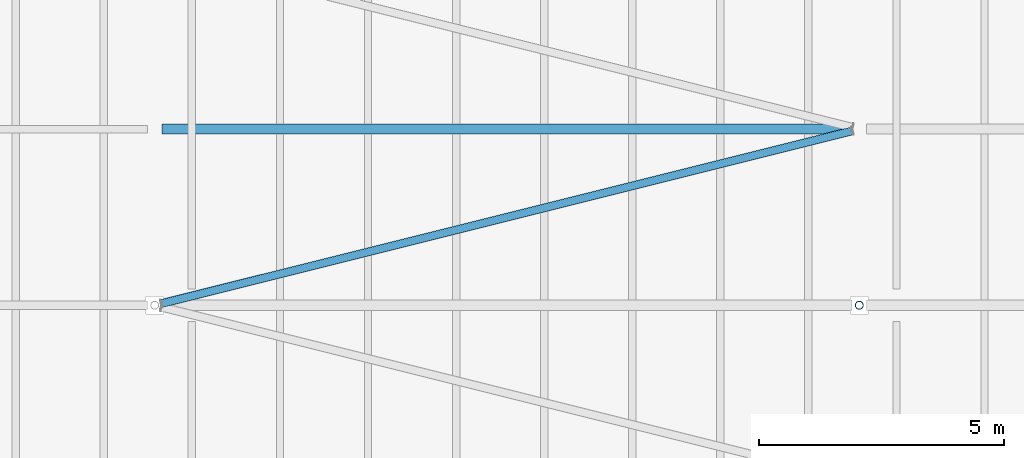
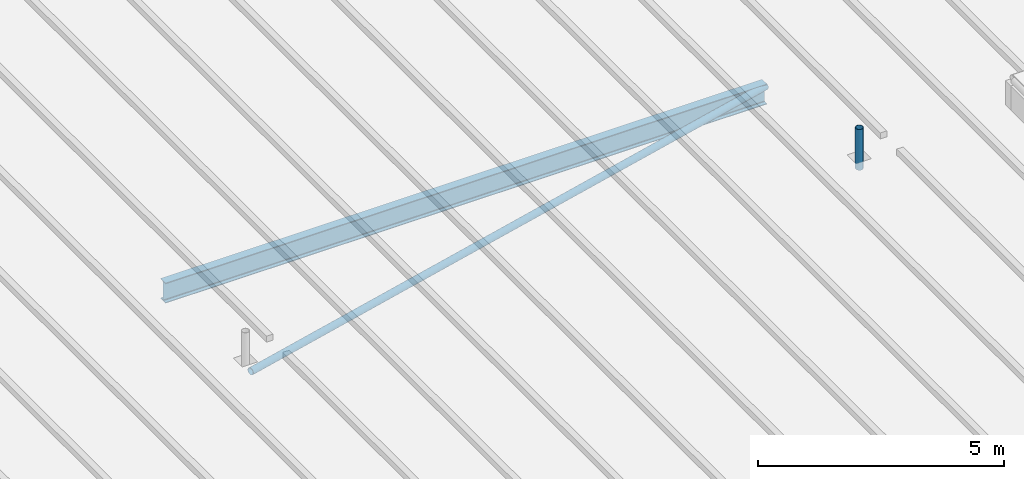
# One storey, part 21 of 120: 2 members, 1 beam.
"""IFC4 building model written with IfcOpenShell, lengths in metres."""

from ifc_helpers import new_model, si_unit, direction, frame, origin, origin_2d, place, context, subcontext, project, spatial, hollow_circle, i_section, extrude, material, material_profile, profile_set, type_object, element, save


model = new_model("IFC4")

# Units and contexts
model_context = context("Model", 3, precision=1e-05, world=origin(), true_north=direction((0.0, 1.0)))
body_context = subcontext(model_context, "Body", "Model", "MODEL_VIEW")
ifc_project = project(units=[si_unit("LENGTHUNIT", "METRE"), si_unit("AREAUNIT", "SQUARE_METRE"), si_unit("VOLUMEUNIT", "CUBIC_METRE"), si_unit("PLANEANGLEUNIT", "RADIAN"), si_unit("MASSUNIT", "GRAM", prefix="KILO")], contexts=[model_context])

# Site, building, storey
site_placement = place(None, origin())
site = spatial("IfcSite", under=ifc_project, at=site_placement, CompositionType="ELEMENT")
building_placement = place(site_placement, origin())
building = spatial("IfcBuilding", under=site, at=building_placement, Name="Kupolbacken Congress Centre", CompositionType="ELEMENT")
storey_placement = place(building_placement, frame((0.0, 0.0, 21.60009765625)))
storey = spatial("IfcBuildingStorey", under=building, at=storey_placement, Name="L06", CompositionType="ELEMENT", Elevation=21.60009765625)

# Beam
ifc_material_1 = material(Name="Steel S355", Category="steel")
ifc_material_profile_1 = material_profile(ifc_material_1, i_section(OverallWidth=0.199951171875, OverallDepth=0.5, WebThickness=0.01025390625, FlangeThickness=0.01611328125, FilletRadius=0.02099609375, at=origin_2d()), Name="IPE 500")
ifc_profile_set_1 = profile_set([ifc_material_profile_1], Name="Steel S355")
beam_type = type_object("IfcBeamType", Name="B09 beam IPE 500", PredefinedType="BEAM", material=ifc_profile_set_1)
beam_placement = place(storey_placement, frame((93.7451171875, 86.39990234375, -0.25), z_axis=(1.0, 0.0, 0.0), x_axis=(0.0, 1.0, 0.0)))
element("IfcBeam", 1, at=beam_placement, inside=storey, type_object=beam_type, Name="HR/P12-01", PredefinedType="BEAM", context=body_context, shape_type="SweptSolid", body=[
    extrude(i_section(OverallWidth=0.199951171875, OverallDepth=0.5, WebThickness=0.01025390625, FlangeThickness=0.01611328125, FilletRadius=0.02099609375, at=origin_2d()), origin(), (0.0, 0.0, 1.0), 14.10986328125),
])

# Members
ifc_material_2 = material(Name="Steel S355", Category="steel")
ifc_material_profile_2 = material_profile(ifc_material_2, hollow_circle(Radius=0.084228515625, WallThickness=0.008056640625, at=origin_2d()), Name="CHS 168.3 x 8")
ifc_profile_set_2 = profile_set([ifc_material_profile_2], Name="Steel S355")
member_type_1 = type_object("IfcMemberType", Name="M20 transfer truss post CHS 168.3 x 8", PredefinedType="STRUT", material=ifc_profile_set_2)
member_1_placement = place(storey_placement, frame((108.0, 82.800048828125, -0.010009765625), z_axis=(0.0, 0.0, 1.0), x_axis=(1.0, 0.0, 0.0)))
element("IfcMember", 2, at=member_1_placement, inside=storey, type_object=member_type_1, Name="Roof stay anchor post M2N.2", PredefinedType="STRUT", context=body_context, shape_type="SweptSolid", body=[
    extrude(hollow_circle(Radius=0.084228515625, WallThickness=0.008056640625, at=origin_2d()), origin(), (0.0, 0.0, 1.0), 1.010009765625),
])
ifc_material_3 = material(Name="Steel S355", Category="steel")
ifc_material_profile_3 = material_profile(ifc_material_3, hollow_circle(Radius=0.084228515625, WallThickness=0.008056640625, at=origin_2d()), Name="CHS 168.3 x 8")
ifc_profile_set_3 = profile_set([ifc_material_profile_3], Name="Steel S355")
member_type_2 = type_object("IfcMemberType", Name="M21 brace CHS 168.3 x 8", PredefinedType="BRACE", material=ifc_profile_set_3)
member_2_placement = place(storey_placement, frame((93.74072265625, 82.835205078125, -0.084228515625), z_axis=(0.970144473737, 0.242527730535, 0.0), x_axis=(-0.242527730535, 0.970144473737, 0.0)))
element("IfcMember", 3, at=member_2_placement, inside=storey, type_object=member_type_2, Name="HR/RB/01-11", PredefinedType="BRACE", context=body_context, shape_type="SweptSolid", body=[
    extrude(hollow_circle(Radius=0.084228515625, WallThickness=0.008056640625, at=origin_2d()), origin(), (0.0, 0.0, 1.0), 14.55322265625),
])

save(model, "model.ifc")
